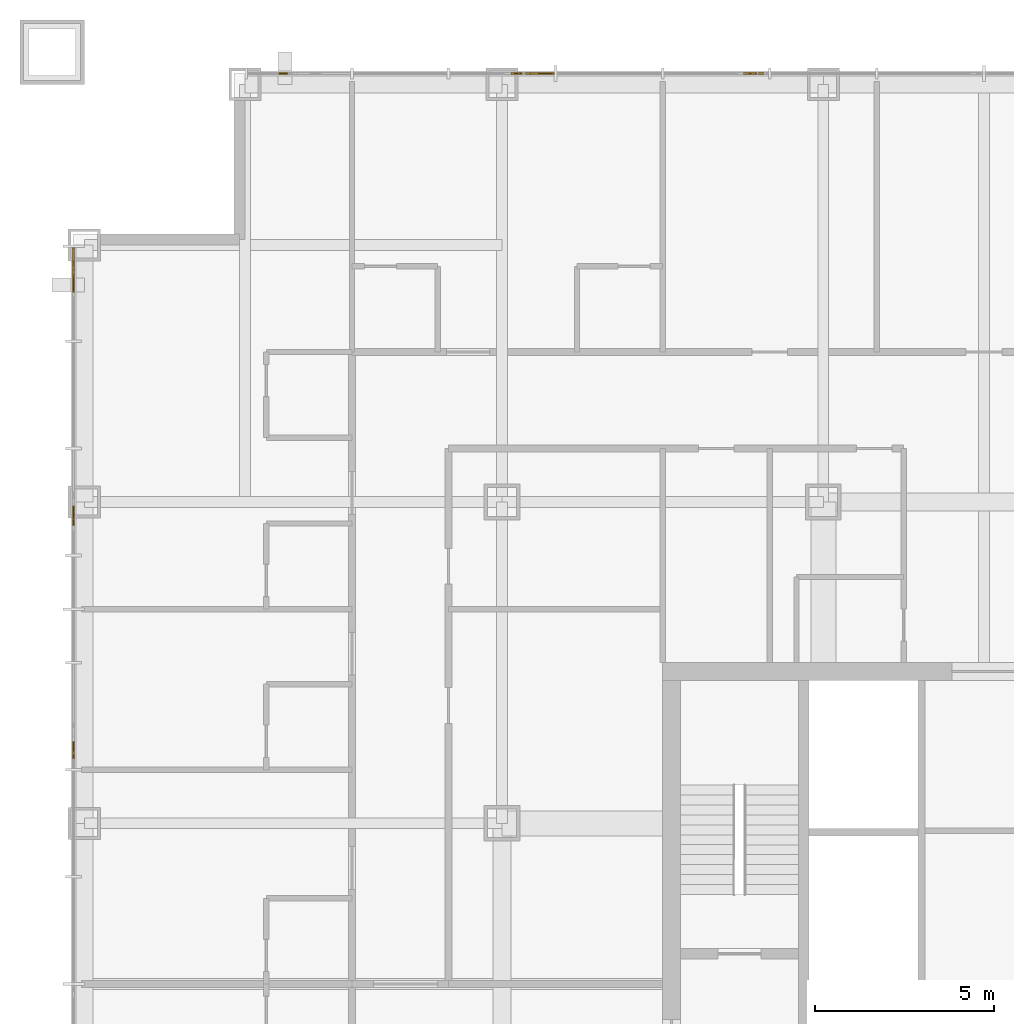
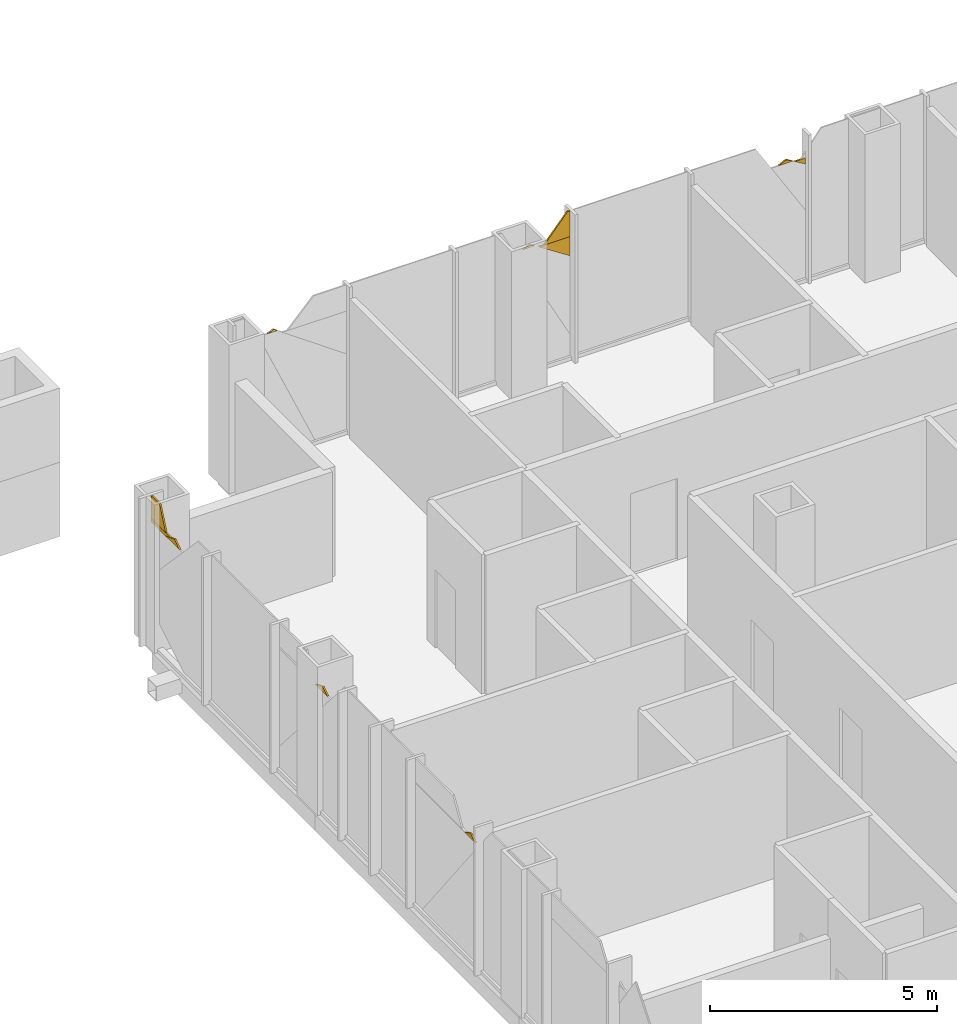
# One storey, part 20 of 23: 11 coverings.
"""IFC4 building model written with IfcOpenShell, lengths in metres."""

import ifcopenshell
import ifcopenshell.guid

model = None  # the IFC model being written
_history = None  # IfcOwnerHistory: only IFC2X3 demands one
_inside = {}  # id of a spatial element -> (the spatial element, [elements in it])
_under = {}  # id of a project, library or spatial element -> (it, [spatial elements below it])
_declared = {}  # id of a project -> (the project, [libraries it declares])
_typed = {}  # id of a type object -> (the type object, [elements of that type])
_made_of = {}  # id of a material, layer set ... -> (it, [elements and type objects made of it])


def new_model(schema):
    """Start an empty IFC model of exactly this schema.

    Asked for "IFC4X3", IfcOpenShell would pick the latest addendum, in which some entities
    have other attributes; the version numbers below select the first issue.
    IFC2X3 requires an IfcOwnerHistory on every rooted entity: one is made here for all.
    """
    global model, _history
    if schema == "IFC4X3":
        model = ifcopenshell.file(schema_version=(4, 3, 0, 0))
    else:
        model = ifcopenshell.file(schema=schema)
    _inside.clear()
    _under.clear()
    _declared.clear()
    _typed.clear()
    _made_of.clear()
    _history = None
    if model.schema == "IFC2X3":
        org = make("IfcOrganization", Name="unknown")
        user = make(
            "IfcPersonAndOrganization",
            ThePerson=make("IfcPerson", FamilyName="unknown"),
            TheOrganization=org,
        )
        app = make(
            "IfcApplication",
            ApplicationDeveloper=org,
            Version="unknown",
            ApplicationFullName="unknown",
            ApplicationIdentifier="unknown",
        )
        _history = make(
            "IfcOwnerHistory",
            OwningUser=user,
            OwningApplication=app,
            ChangeAction="ADDED",
            CreationDate=0,
        )
    return model


def make(cls, **values):
    """One entity of the class cls with the attributes given. An attribute that is None is left unset."""
    return model.create_entity(
        cls, **{name: value for name, value in values.items() if value is not None}
    )


def rooted(cls, **values):
    """An entity with a GlobalId (a new one), such as an element, a storey or a relation."""
    return make(cls, GlobalId=ifcopenshell.guid.new(), OwnerHistory=_history, **values)


def si_unit(unit_type, name, prefix=None):
    """IfcSIUnit, for example si_unit("LENGTHUNIT", "METRE", prefix="MILLI")."""
    return make("IfcSIUnit", UnitType=unit_type, Prefix=prefix, Name=name)


def assignment(units):
    """IfcUnitAssignment: the units of a project."""
    return None if units is None else make("IfcUnitAssignment", Units=units)


def point(xyz):
    """IfcCartesianPoint."""
    return None if xyz is None else make("IfcCartesianPoint", Coordinates=xyz)


def direction(xyz):
    """IfcDirection."""
    return None if xyz is None else make("IfcDirection", DirectionRatios=xyz)


def frame(location, z_axis=None, x_axis=None):
    """IfcAxis2Placement3D, a coordinate frame: its origin and axes. An axis left out is left unset."""
    return make(
        "IfcAxis2Placement3D",
        Location=point(location),
        Axis=direction(z_axis),
        RefDirection=direction(x_axis),
    )


def origin():
    """The frame at (0, 0, 0) with its axes left unset."""
    return frame((0.0, 0.0, 0.0))


def place(relative_to, where):
    """IfcLocalPlacement: puts the frame where relative to a parent placement (None: the world)."""
    return make(
        "IfcLocalPlacement", PlacementRelTo=relative_to, RelativePlacement=where
    )


def context(
    kind, dimensions, precision=None, world=None, true_north=None, identifier=None
):
    """IfcGeometricRepresentationContext, for example the 3D "Model" context."""
    return make(
        "IfcGeometricRepresentationContext",
        ContextIdentifier=identifier,
        ContextType=kind,
        CoordinateSpaceDimension=dimensions,
        Precision=precision,
        WorldCoordinateSystem=world,
        TrueNorth=true_north,
    )


def subcontext(parent, identifier, kind, view, scale=None):
    """IfcGeometricRepresentationSubContext, for example "Body" below "Model"."""
    return make(
        "IfcGeometricRepresentationSubContext",
        ContextIdentifier=identifier,
        ContextType=kind,
        ParentContext=parent,
        TargetScale=scale,
        TargetView=view,
    )


def project(units=None, contexts=None):
    """IfcProject with its units and contexts."""
    return rooted(
        "IfcProject",
        Name="project",
        RepresentationContexts=contexts,
        UnitsInContext=assignment(units),
    )


def spatial(cls, under=None, at=None, **own):
    """A site, building, storey or space (cls), placed at a placement, below another one or the project."""
    s = rooted(cls, ObjectPlacement=at, **own)
    if under is not None:
        _under.setdefault(under.id(), (under, []))[1].append(s)
    return s


def polyline(points):
    """IfcPolyline through the points."""
    return make("IfcPolyline", Points=[point(p) for p in points])


def outline(outer, holes=None, kind="AREA"):
    """IfcArbitraryClosedProfileDef: a profile drawn as a closed curve; with holes, ...WithVoids."""
    if holes is None:
        return make("IfcArbitraryClosedProfileDef", ProfileType=kind, OuterCurve=outer)
    return make(
        "IfcArbitraryProfileDefWithVoids",
        ProfileType=kind,
        OuterCurve=outer,
        InnerCurves=holes,
    )


def extrude(swept, where, along, depth):
    """IfcExtrudedAreaSolid: the profile swept, set in the frame where, extruded along a direction by depth."""
    return make(
        "IfcExtrudedAreaSolid",
        SweptArea=swept,
        Position=where,
        ExtrudedDirection=direction(along),
        Depth=depth,
    )


def shape(context_of_items, identifier, shape_type, items):
    """IfcShapeRepresentation: the items that make up one representation, for example the "Body"."""
    return make(
        "IfcShapeRepresentation",
        ContextOfItems=context_of_items,
        RepresentationIdentifier=identifier,
        RepresentationType=shape_type,
        Items=items,
    )


def material(Name=None, Category=None):
    """IfcMaterial."""
    return make("IfcMaterial", Name=Name, Category=Category)


def layer(
    of_material, thickness, ventilated=None, Name=None, Category=None, Priority=None
):
    """IfcMaterialLayer: one layer of a wall or slab, of a material (None: an air gap)."""
    return make(
        "IfcMaterialLayer",
        Material=of_material,
        LayerThickness=thickness,
        IsVentilated=ventilated,
        Name=Name,
        Category=Category,
        Priority=Priority,
    )


def layer_set(layers, Name=None):
    """IfcMaterialLayerSet."""
    return make("IfcMaterialLayerSet", MaterialLayers=layers, LayerSetName=Name)


def made_of(thing, what):
    """Note that an element or type object is made of a material, layer set ...; save() writes the relation."""
    if what is not None:
        _made_of.setdefault(what.id(), (what, []))[1].append(thing)
    return thing


def type_object(cls, material=None, **own):
    """A type object (cls), such as IfcWallType, which elements share."""
    return made_of(rooted(cls, **own), material)


def element(
    cls,
    number,
    at=None,
    inside=None,
    cuts=None,
    type_object=None,
    material=None,
    context=None,
    identifier="Body",
    shape_type=None,
    held_by="IfcProductDefinitionShape",
    body=None,
    shapes=None,
    **own,
):
    """One element of the class cls, such as IfcWall. Its Tag is "e" and its number.

    at: its placement. inside: the storey or other place that contains it. cuts: it is an
    opening in that element (IfcRelVoidsElement). A single representation is given by context,
    identifier, shape_type and body (its items); several are given by shapes. held_by: the class
    of the entity that holds the representations. save() writes the other relations.
    """
    e = rooted(cls, Tag="e%d" % number, ObjectPlacement=at, **own)
    if body is not None:
        shapes = [shape(context, identifier, shape_type, body)]
    if shapes is not None:
        e.Representation = make(held_by, Representations=shapes)
    if inside is not None:
        _inside.setdefault(inside.id(), (inside, []))[1].append(e)
    if cuts is not None:
        rooted(
            "IfcRelVoidsElement", RelatingBuildingElement=cuts, RelatedOpeningElement=e
        )
    if type_object is not None:
        _typed.setdefault(type_object.id(), (type_object, []))[1].append(e)
    return made_of(e, material)


def aggregate(whole, parts):
    """IfcRelAggregates: a whole, such as a stair, and the parts it consists of."""
    return rooted("IfcRelAggregates", RelatingObject=whole, RelatedObjects=parts)


def save(model, path):
    """Write the relations noted so far, then the file.

    IfcRelAggregates (storeys below a building ...), IfcRelContainedInSpatialStructure (elements
    in a storey), IfcRelDefinesByType, IfcRelAssociatesMaterial and IfcRelDeclares: one each for
    every whole, place, type object, material and project.
    """
    for whole, parts in _under.values():
        aggregate(whole, parts)
    for where, things in _inside.values():
        rooted(
            "IfcRelContainedInSpatialStructure",
            RelatedElements=things,
            RelatingStructure=where,
        )
    for kind, things in _typed.values():
        rooted("IfcRelDefinesByType", RelatedObjects=things, RelatingType=kind)
    for what, things in _made_of.values():
        rooted("IfcRelAssociatesMaterial", RelatedObjects=things, RelatingMaterial=what)
    for by, libraries in _declared.values():
        rooted("IfcRelDeclares", RelatingContext=by, RelatedDefinitions=libraries)
    model.write(path)


model = new_model("IFC4")

# Units and contexts
model_context = context("Model", 3, precision=1e-05, world=origin(), true_north=direction((0.0, 1.0)))
body_context = subcontext(model_context, "Body", "Model", "MODEL_VIEW")
ifc_project = project(units=[si_unit("LENGTHUNIT", "METRE"), si_unit("AREAUNIT", "SQUARE_METRE"), si_unit("VOLUMEUNIT", "CUBIC_METRE"), si_unit("PLANEANGLEUNIT", "RADIAN"), si_unit("MASSUNIT", "GRAM", prefix="KILO")], contexts=[model_context])

# Site, building, storey
site_placement = place(None, origin())
site = spatial("IfcSite", under=ifc_project, at=site_placement, CompositionType="ELEMENT")
building_placement = place(site_placement, origin())
building = spatial("IfcBuilding", under=site, at=building_placement, Name="Malebo Sky Hospital", CompositionType="ELEMENT")
storey_placement = place(building_placement, frame((0.0, 0.0, 91.0)))
storey = spatial("IfcBuildingStorey", under=building, at=storey_placement, Name="L21", CompositionType="ELEMENT", Elevation=91.0)

# Coverings
ifc_material = material(Name="Anodised aluminium, natural silver insulated infill panel", Category="aluminium")
ifc_layer = layer(ifc_material, 0.0400390625)
ifc_layer_set = layer_set([ifc_layer], Name="BRACE INFILL PANEL 40")
covering_type = type_object("IfcCoveringType", Name="BRACE INFILL PANEL 40", PredefinedType="CLADDING", material=ifc_layer_set)
covering_1_placement = place(storey_placement, frame((40.376220703125, 87.5, 3.3779296875), z_axis=(0.0, 0.0, 1.0), x_axis=(1.0, 0.0, 0.0)))
element("IfcCovering", 1, at=covering_1_placement, inside=storey, type_object=covering_type, Name="Brace infill panel 1.4", PredefinedType="CLADDING", context=body_context, shape_type="SweptSolid", body=[
    extrude(outline(polyline([(-0.125732421875, 0.0), (0.125732421875, 0.0), (0.0390625, 0.061279296875), (-0.125732421875, 0.0)])), frame((0.0, 0.02001953125, 0.0), z_axis=(0.0, -1.0, 0.0), x_axis=(1.0, 0.0, 0.0)), (0.0, 0.0, 1.0), 0.0400390625),
])
covering_2_placement = place(storey_placement, frame((47.560791015625, 87.5, 2.779296875), z_axis=(0.0, 0.0, 1.0), x_axis=(1.0, 0.0, 0.0)))
element("IfcCovering", 2, at=covering_2_placement, inside=storey, type_object=covering_type, Name="Brace infill panel 3.2", PredefinedType="CLADDING", context=body_context, shape_type="SweptSolid", body=[
    extrude(outline(polyline([(0.401611328125, 0.0), (0.401611328125, 0.51953125), (-0.40185546875, 0.51953125), (0.401611328125, 0.0)])), frame((0.0, 0.02001953125, 0.0), z_axis=(0.0, -1.0, 0.0), x_axis=(1.0, 0.0, 0.0)), (0.0, 0.0, 1.0), 0.0400390625),
])
covering_3_placement = place(storey_placement, frame((47.6318359375, 87.5, 3.298828125), z_axis=(0.0, 0.0, 1.0), x_axis=(1.0, 0.0, 0.0)))
element("IfcCovering", 3, at=covering_3_placement, inside=storey, type_object=covering_type, Name="Brace infill panel 3.3", PredefinedType="CLADDING", context=body_context, shape_type="SweptSolid", body=[
    extrude(outline(polyline([(-0.330810546875, 0.0), (0.33056640625, 0.0), (0.33056640625, 0.691162109375), (0.263427734375, 0.691162109375), (-0.330810546875, 0.0)])), frame((0.0, 0.02001953125, 0.0), z_axis=(0.0, -1.0, 0.0), x_axis=(1.0, 0.0, 0.0)), (0.0, 0.0, 1.0), 0.0400390625),
])
covering_4_placement = place(storey_placement, frame((46.910400390625, 87.5, 3.35986328125), z_axis=(0.0, 0.0, 1.0), x_axis=(1.0, 0.0, 0.0)))
element("IfcCovering", 4, at=covering_4_placement, inside=storey, type_object=covering_type, Name="Brace infill panel 3.4", PredefinedType="CLADDING", context=body_context, shape_type="SweptSolid", body=[
    extrude(outline(polyline([(-0.154052734375, 0.0), (0.154052734375, 0.0), (0.03271484375, 0.07861328125), (-0.154052734375, 0.0)])), frame((0.0, 0.02001953125, 0.0), z_axis=(0.0, -1.0, 0.0), x_axis=(1.0, 0.0, 0.0)), (0.0, 0.0, 1.0), 0.0400390625),
])
covering_5_placement = place(storey_placement, frame((53.82421875, 87.5, 3.149658203125), z_axis=(0.0, 0.0, 1.0), x_axis=(1.0, 0.0, 0.0)))
element("IfcCovering", 5, at=covering_5_placement, inside=storey, type_object=covering_type, Name="Brace infill panel 5.2", PredefinedType="CLADDING", context=body_context, shape_type="SweptSolid", body=[
    extrude(outline(polyline([(0.138427734375, 0.0), (0.138427734375, 0.16259765625), (-0.138427734375, 0.16259765625), (0.138427734375, 0.0)])), frame((0.0, 0.02001953125, 0.0), z_axis=(0.0, -1.0, 0.0), x_axis=(1.0, 0.0, 0.0)), (0.0, 0.0, 1.0), 0.0400390625),
])
covering_6_placement = place(storey_placement, frame((53.4521484375, 87.5, 3.3427734375), z_axis=(0.0, 0.0, 1.0), x_axis=(1.0, 0.0, 0.0)))
element("IfcCovering", 6, at=covering_6_placement, inside=storey, type_object=covering_type, Name="Brace infill panel 5.4", PredefinedType="CLADDING", context=body_context, shape_type="SweptSolid", body=[
    extrude(outline(polyline([(-0.181396484375, 0.0), (0.181396484375, 0.0), (0.019287109375, 0.09521484375), (-0.181396484375, 0.0)])), frame((0.0, 0.02001953125, 0.0), z_axis=(0.0, -1.0, 0.0), x_axis=(1.0, 0.0, 0.0)), (0.0, 0.0, 1.0), 0.0400390625),
])
covering_7_placement = place(storey_placement, frame((34.5, 68.55419921875, 3.31201171875), z_axis=(0.0, 0.0, 1.0), x_axis=(0.0, 1.0, 0.0)))
element("IfcCovering", 7, at=covering_7_placement, inside=storey, type_object=covering_type, Name="Brace infill panel 10.3", PredefinedType="CLADDING", context=body_context, shape_type="SweptSolid", body=[
    extrude(outline(polyline([(-0.239990234375, 0.0), (0.23974609375, 0.0), (-0.02587890625, 0.125732421875), (-0.239990234375, 0.0)])), frame((0.0, 0.02001953125, 0.0), z_axis=(0.0, -1.0, 0.0), x_axis=(1.0, 0.0, 0.0)), (0.0, 0.0, 1.0), 0.0400390625),
])
covering_8_placement = place(storey_placement, frame((34.5, 75.114990234375, 3.298828125), z_axis=(0.0, 0.0, 1.0), x_axis=(0.0, 1.0, 0.0)))
element("IfcCovering", 8, at=covering_8_placement, inside=storey, type_object=covering_type, Name="Brace infill panel 13.3", PredefinedType="CLADDING", context=body_context, shape_type="SweptSolid", body=[
    extrude(outline(polyline([(-0.27392578125, 0.0), (0.27392578125, 0.0), (-0.05810546875, 0.1396484375), (-0.27392578125, 0.0)])), frame((0.0, 0.02001953125, 0.0), z_axis=(0.0, -1.0, 0.0), x_axis=(1.0, 0.0, 0.0)), (0.0, 0.0, 1.0), 0.0400390625),
])
covering_9_placement = place(storey_placement, frame((34.5, 82.300537109375, 3.3779296875), z_axis=(0.0, 0.0, 1.0), x_axis=(0.0, 1.0, 0.0)))
element("IfcCovering", 9, at=covering_9_placement, inside=storey, type_object=covering_type, Name="Brace infill panel 15.2", PredefinedType="CLADDING", context=body_context, shape_type="SweptSolid", body=[
    extrude(outline(polyline([(-0.324462890625, 0.0), (0.32421875, 0.0), (0.32421875, 0.612060546875), (-0.05615234375, 0.612060546875), (-0.324462890625, 0.0)])), frame((0.0, 0.02001953125, 0.0), z_axis=(0.0, -1.0, 0.0), x_axis=(1.0, 0.0, 0.0)), (0.0, 0.0, 1.0), 0.0400390625),
])
covering_10_placement = place(storey_placement, frame((34.5, 81.68212890625, 3.286865234375), z_axis=(0.0, 0.0, 1.0), x_axis=(0.0, 1.0, 0.0)))
element("IfcCovering", 10, at=covering_10_placement, inside=storey, type_object=covering_type, Name="Brace infill panel 15.3", PredefinedType="CLADDING", context=body_context, shape_type="SweptSolid", body=[
    extrude(outline(polyline([(-0.31298828125, 0.0), (0.31298828125, 0.0), (-0.097412109375, 0.15234375), (-0.31298828125, 0.0)])), frame((0.0, 0.02001953125, 0.0), z_axis=(0.0, -1.0, 0.0), x_axis=(1.0, 0.0, 0.0)), (0.0, 0.0, 1.0), 0.0400390625),
])
covering_11_placement = place(storey_placement, frame((34.5, 82.187255859375, 3.28662109375), z_axis=(0.0, 0.0, 1.0), x_axis=(0.0, 1.0, 0.0)))
element("IfcCovering", 11, at=covering_11_placement, inside=storey, type_object=covering_type, Name="Brace infill panel 15.4", PredefinedType="CLADDING", context=body_context, shape_type="SweptSolid", body=[
    extrude(outline(polyline([(-0.192138671875, 0.0), (0.437744140625, 0.0), (0.437744140625, 0.091064453125), (-0.4375, 0.091064453125), (-0.192138671875, 0.0)])), frame((0.0, 0.02001953125, 0.0), z_axis=(0.0, -1.0, 0.0), x_axis=(1.0, 0.0, 0.0)), (0.0, 0.0, 1.0), 0.0400390625),
])

save(model, "model.ifc")
